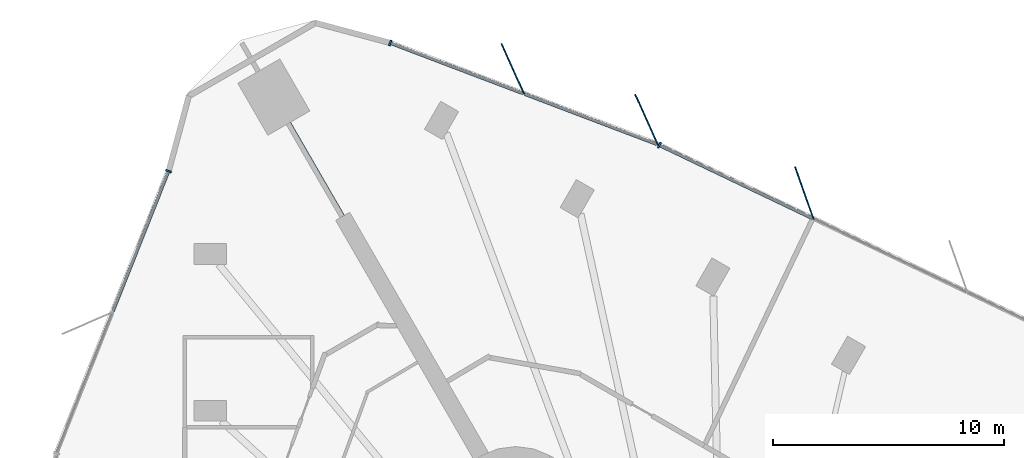
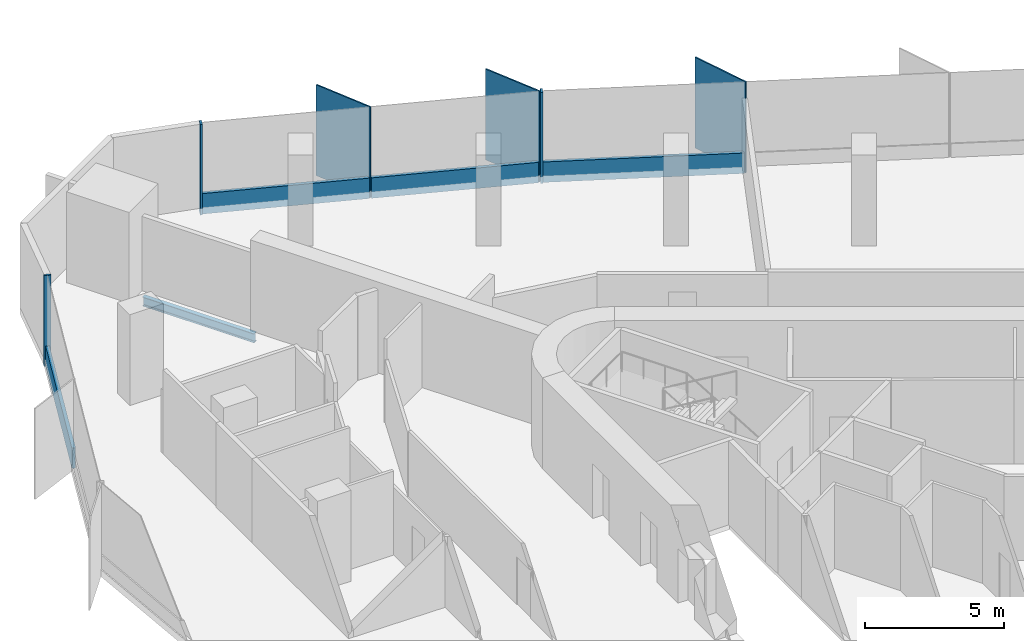
# One storey, part 6 of 13: 10 members, 1 beam, 3 elements without a shape of their own.
"""IFC4 building model written with IfcOpenShell, lengths in metres."""

from ifc_helpers import new_model, si_unit, direction, frame, origin, origin_2d, place, context, subcontext, project, spatial, rectangle, i_section, extrude, material, material_profile, profile_set, type_object, element, aggregate, save


model = new_model("IFC4")

# Units and contexts
model_context = context("Model", 3, precision=1e-05, world=origin(), true_north=direction((0.0, 1.0)))
body_context = subcontext(model_context, "Body", "Model", "MODEL_VIEW")
ifc_project = project(units=[si_unit("LENGTHUNIT", "METRE"), si_unit("AREAUNIT", "SQUARE_METRE"), si_unit("VOLUMEUNIT", "CUBIC_METRE"), si_unit("PLANEANGLEUNIT", "RADIAN"), si_unit("MASSUNIT", "GRAM", prefix="KILO")], contexts=[model_context])

# Site, building, storey
site_placement = place(None, origin())
site = spatial("IfcSite", under=ifc_project, at=site_placement, CompositionType="ELEMENT")
building_placement = place(site_placement, origin())
building = spatial("IfcBuilding", under=site, at=building_placement, Name="Tanit Gate Tower", CompositionType="ELEMENT")
storey_placement = place(building_placement, frame((0.0, 0.0, 197.199951171875)))
storey = spatial("IfcBuildingStorey", under=building, at=storey_placement, Name="L43", CompositionType="ELEMENT", Elevation=197.199951171875)

# Curtain wall, member
ifc_material_1 = material(Name="Aluminium bronze anodised and glass", Category="aluminium")
curtain_wall_type = type_object("IfcCurtainWallType", Name="Curtain wall typical mid", PredefinedType="NOTDEFINED", material=ifc_material_1)
curtain_wall_1_placement = place(storey_placement, origin())
curtain_wall_1 = element("IfcCurtainWall", 1, at=curtain_wall_1_placement, inside=storey, type_object=curtain_wall_type, Name="Curtain wall L43 NE2", PredefinedType="NOTDEFINED")
ifc_material_2 = material(Name="Aluminium bronze anodised", Category="aluminium")
ifc_material_profile_1 = material_profile(ifc_material_2, rectangle(XDim=2.39990234375, YDim=0.055908203125, at=origin_2d()), Name="56x2400 bronze fin mullion")
ifc_profile_set_1 = profile_set([ifc_material_profile_1], Name="Aluminium bronze anodised")
member_type_1 = type_object("IfcMemberType", Name="FIN MULLION 56x2400 bronze", PredefinedType="MULLION", material=ifc_profile_set_1)
member_1_placement = place(storey_placement, frame((3.3798828125, 29.718994140625, -0.300048828125), z_axis=(0.0, 0.0, 1.0), x_axis=(0.333220063881, -0.942849080727, 0.0)))
member_1 = element("IfcMember", 2, at=member_1_placement, type_object=member_type_1, Name="Fin mullion L43 NE2.5", PredefinedType="MULLION", context=body_context, shape_type="SweptSolid", body=[
    extrude(rectangle(XDim=2.39990234375, YDim=0.055908203125, at=origin_2d()), origin(), (0.0, 0.0, 1.0), 4.0),
])

# Curtain wall, members
curtain_wall_2_placement = place(storey_placement, origin())
curtain_wall_2 = element("IfcCurtainWall", 3, at=curtain_wall_2_placement, inside=storey, type_object=curtain_wall_type, Name="Curtain wall L43 NE3", PredefinedType="NOTDEFINED")
member_2_placement = place(storey_placement, frame((-3.442626953125, 32.894775390625, -0.300048828125), z_axis=(0.0, 0.0, 1.0), x_axis=(0.410309884054, -0.911946160169, 0.0)))
member_2 = element("IfcMember", 4, at=member_2_placement, type_object=member_type_1, Name="Fin mullion L43 NE3.1", PredefinedType="MULLION", context=body_context, shape_type="SweptSolid", body=[
    extrude(rectangle(XDim=2.39990234375, YDim=0.055908203125, at=origin_2d()), origin(), (0.0, 0.0, 1.0), 4.0),
])
member_3_placement = place(storey_placement, frame((-9.224609375, 35.08837890625, -0.300048828125), z_axis=(0.0, 0.0, 1.0), x_axis=(0.410309884054, -0.911946160169, 0.0)))
member_3 = element("IfcMember", 5, at=member_3_placement, type_object=member_type_1, Name="Fin mullion L43 NE3.2", PredefinedType="MULLION", context=body_context, shape_type="SweptSolid", body=[
    extrude(rectangle(XDim=2.39990234375, YDim=0.055908203125, at=origin_2d()), origin(), (0.0, 0.0, 1.0), 4.0),
])

# Member
ifc_material_3 = material(Name="Aluminium bronze anodised", Category="aluminium")
ifc_material_profile_2 = material_profile(ifc_material_3, rectangle(XDim=0.260009765625, YDim=0.080078125, at=origin_2d()), Name="80x260 bronze mullion")
ifc_profile_set_2 = profile_set([ifc_material_profile_2], Name="Aluminium bronze anodised")
member_type_2 = type_object("IfcMemberType", Name="Mullion 80x260 typical mid", PredefinedType="MULLION", material=ifc_profile_set_2)
member_4_placement = place(storey_placement, frame((-2.885498046875, 31.78857421875, -0.300048828125), z_axis=(0.0, 0.0, 1.0), x_axis=(-0.431072811819, -0.902317145415, 0.0)))
member_4 = element("IfcMember", 6, at=member_4_placement, type_object=member_type_2, Name="Mullion L43 NE2.6", PredefinedType="MULLION", context=body_context, shape_type="SweptSolid", body=[
    extrude(rectangle(XDim=0.260009765625, YDim=0.080078125, at=origin_2d()), origin(), (0.0, 0.0, 1.0), 4.0),
])

member_5_placement = place(storey_placement, frame((-14.52294921875, 36.20703125, -0.300048828125), z_axis=(0.0, 0.0, 1.0), x_axis=(-0.35471041253, -0.934976215335, 0.0)))
member_5 = element("IfcMember", 7, at=member_5_placement, type_object=member_type_2, Name="Mullion L43 NE3.3", PredefinedType="MULLION", context=body_context, shape_type="SweptSolid", body=[
    extrude(rectangle(XDim=0.260009765625, YDim=0.080078125, at=origin_2d()), origin(), (0.0, 0.0, 1.0), 4.0),
])

# Curtain wall, member
curtain_wall_3_placement = place(storey_placement, origin())
curtain_wall_3 = element("IfcCurtainWall", 8, at=curtain_wall_3_placement, inside=storey, type_object=curtain_wall_type, Name="Curtain wall L43 W1", PredefinedType="NOTDEFINED")
member_6_placement = place(storey_placement, frame((-24.1064453125, 30.67041015625, -0.300048828125), z_axis=(0.0, 0.0, 1.0), x_axis=(0.929554138674, -0.368685642892, 0.0)))
member_6 = element("IfcMember", 9, at=member_6_placement, type_object=member_type_2, Name="Mullion L43 W1.1", PredefinedType="MULLION", context=body_context, shape_type="SweptSolid", body=[
    extrude(rectangle(XDim=0.260009765625, YDim=0.080078125, at=origin_2d()), origin(), (0.0, 0.0, 1.0), 4.0),
])

# Beam
ifc_material_4 = material(Name="Steel S355", Category="steel")
ifc_material_profile_3 = material_profile(ifc_material_4, i_section(OverallWidth=0.179931640625, OverallDepth=0.39990234375, WebThickness=0.008544921875, FlangeThickness=0.013427734375, FilletRadius=0.02099609375, at=origin_2d()), Name="IPE 400")
ifc_profile_set_3 = profile_set([ifc_material_profile_3], Name="Steel S355")
beam_type = type_object("IfcBeamType", Name="RADIAL GIRDER IPE 400 S355", PredefinedType="BEAM", material=ifc_profile_set_3)
beam_placement = place(storey_placement, frame((-18.9033203125, 32.74169921875, -0.5), z_axis=(0.499984536904, -0.866034331223, 0.0), x_axis=(0.866034331223, 0.499984536904, 0.0)))
element("IfcBeam", 10, at=beam_placement, inside=storey, type_object=beam_type, Name="RADIAL GIRDER", PredefinedType="BEAM", context=body_context, shape_type="SweptSolid", body=[
    extrude(i_section(OverallWidth=0.179931640625, OverallDepth=0.39990234375, WebThickness=0.008544921875, FlangeThickness=0.013427734375, FilletRadius=0.02099609375, at=origin_2d()), origin(), (0.0, 0.0, 1.0), 4.650146484375),
])

# Member
ifc_material_5 = material(Name="Aluminium bronze anodised", Category="aluminium")
ifc_material_profile_4 = material_profile(ifc_material_5, rectangle(XDim=0.139892578125, YDim=0.89990234375, at=origin_2d()), Name="140x900 bronze transom")
ifc_profile_set_4 = profile_set([ifc_material_profile_4], Name="Aluminium bronze anodised")
member_type_3 = type_object("IfcMemberType", Name="Transom 140x900 typical mid", PredefinedType="USERDEFINED", material=ifc_profile_set_4)
member_7_placement = place(storey_placement, frame((3.736572265625, 28.625, 0.150146484375), z_axis=(-0.902323765346, 0.431058954775, 0.0), x_axis=(-0.431058954775, -0.902323765346, 0.0)))
member_7 = element("IfcMember", 11, at=member_7_placement, type_object=member_type_3, Name="Transom L43 NE2.5", ObjectType="TRANSOM", PredefinedType="USERDEFINED", context=body_context, shape_type="SweptSolid", body=[
    extrude(rectangle(XDim=0.139892578125, YDim=0.89990234375, at=origin_2d()), origin(), (0.0, 0.0, 1.0), 7.298828125),
])

aggregate(curtain_wall_1, [member_1, member_4, member_7])

member_8_placement = place(storey_placement, frame((-2.996337890625, 31.833984375, 0.150146484375), z_axis=(-0.934967795599, 0.354732605201, 0.0), x_axis=(-0.354732605201, -0.934967795599, 0.0)))
member_8 = element("IfcMember", 12, at=member_8_placement, type_object=member_type_3, Name="Transom L43 NE3.1", ObjectType="TRANSOM", PredefinedType="USERDEFINED", context=body_context, shape_type="SweptSolid", body=[
    extrude(rectangle(XDim=0.139892578125, YDim=0.89990234375, at=origin_2d()), origin(), (0.0, 0.0, 1.0), 6.10400390625),
])

member_9_placement = place(storey_placement, frame((-8.7783203125, 34.027587890625, 0.150146484375), z_axis=(-0.934967795599, 0.354732605201, 0.0), x_axis=(-0.354732605201, -0.934967795599, 0.0)))
member_9 = element("IfcMember", 13, at=member_9_placement, type_object=member_type_3, Name="Transom L43 NE3.2", ObjectType="TRANSOM", PredefinedType="USERDEFINED", context=body_context, shape_type="SweptSolid", body=[
    extrude(rectangle(XDim=0.139892578125, YDim=0.89990234375, at=origin_2d()), origin(), (0.0, 0.0, 1.0), 6.10400390625),
])

aggregate(curtain_wall_2, [member_2, member_3, member_5, member_8, member_9])

member_10_placement = place(storey_placement, frame((-24.12109375, 30.63330078125, 0.150146484375), z_axis=(-0.368695272447, -0.929550319281, 0.0), x_axis=(0.929550319281, -0.368695272447, 0.0)))
member_10 = element("IfcMember", 14, at=member_10_placement, type_object=member_type_3, Name="Transom L43 W1.1", ObjectType="TRANSOM", PredefinedType="USERDEFINED", context=body_context, shape_type="SweptSolid", body=[
    extrude(rectangle(XDim=0.139892578125, YDim=0.89990234375, at=origin_2d()), origin(), (0.0, 0.0, 1.0), 6.484619140625),
])

aggregate(curtain_wall_3, [member_6, member_10])

save(model, "model.ifc")
